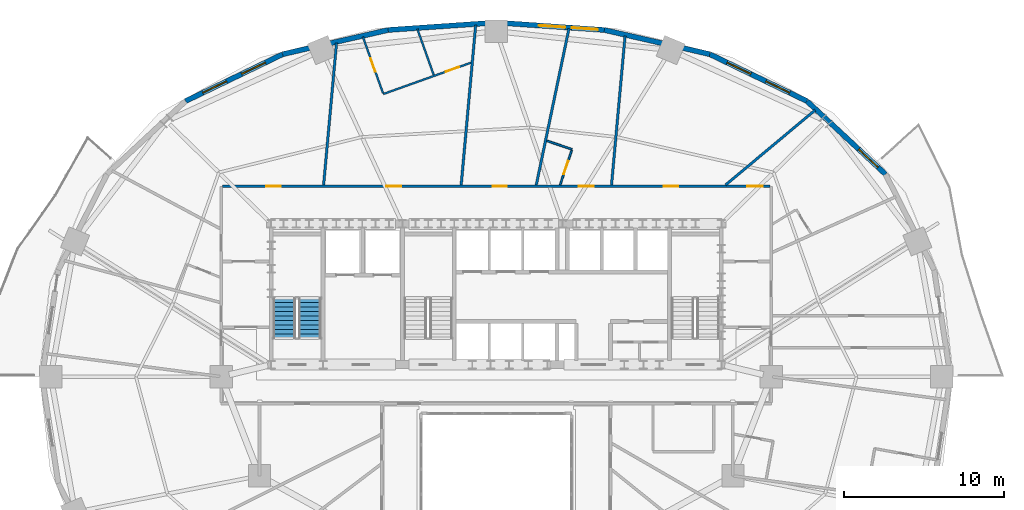
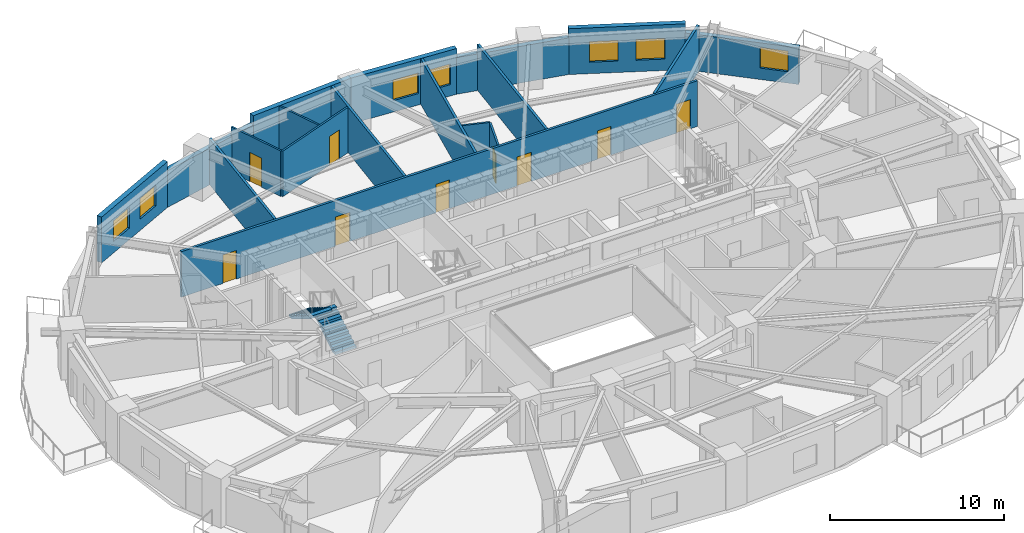
# One storey, part 11 of 15: 18 walls, 9 doors, 7 windows, 2 stair flights, 16 openings, 1 element without a shape of its own.
"""IFC4 building model written with IfcOpenShell, lengths in metres."""

from ifc_helpers import new_model, si_unit, direction, frame, frame_2d, origin, place, context, subcontext, project, spatial, polyline, rectangle, outline, extrude, material, layer, layer_set, type_object, element, fill, aggregate, save


model = new_model("IFC4")

# Units and contexts
model_context = context("Model", 3, precision=1e-05, world=origin(), true_north=direction((0.0, 1.0)))
body_context = subcontext(model_context, "Body", "Model", "MODEL_VIEW")
ifc_project = project(units=[si_unit("LENGTHUNIT", "METRE"), si_unit("AREAUNIT", "SQUARE_METRE"), si_unit("VOLUMEUNIT", "CUBIC_METRE"), si_unit("PLANEANGLEUNIT", "RADIAN"), si_unit("MASSUNIT", "GRAM", prefix="KILO")], contexts=[model_context])

# Site, building, storey
site_placement = place(None, origin())
site = spatial("IfcSite", under=ifc_project, at=site_placement, CompositionType="ELEMENT")
building_placement = place(site_placement, origin())
building = spatial("IfcBuilding", under=site, at=building_placement, Name="Haldorwick Loom Tower", CompositionType="ELEMENT")
storey_placement = place(building_placement, frame((0.0, 0.0, 85.25)))
storey = spatial("IfcBuildingStorey", under=building, at=storey_placement, Name="L22", CompositionType="ELEMENT", Elevation=85.25)

# Wall, opening, window
ifc_material_1 = material(Name="Pressed Clay Face Brick and Insulated Masonry Backup Assembly", Category="masonry")
ifc_layer_1 = layer(ifc_material_1, 0.320068359375, Name="Pressed Clay Face Brick and Insulated Masonry Backup Assembly", Category="masonry")
ifc_layer_set_1 = layer_set([ifc_layer_1], Name="Pressed Clay Face Brick and Insulated Masonry Backup Assembly")
wall_type_1 = type_object("IfcWallType", Name="ARC-WL-EXT320", PredefinedType="STANDARD", material=ifc_layer_set_1)
wall_1_placement = place(storey_placement, frame((60.338623046875, 38.655517578125, 0.0), z_axis=(0.0, 0.0, 1.0), x_axis=(-0.732137360086, 0.681157020052, 0.0)))
wall_1 = element("IfcWall", 1, at=wall_1_placement, inside=storey, type_object=wall_type_1, Name="L22 Brick Pier and Spandrel Wall 3", PredefinedType="STANDARD", context=body_context, shape_type="SweptSolid", body=[
    extrude(rectangle(XDim=6.709228515625, YDim=0.320068359375, at=frame_2d((3.3544921875, 0.0))), origin(), (0.0, 0.0, 1.0), 2.569091796875),
])
opening_1_placement = place(wall_1_placement, frame((0.639892578125, 0.0, 0.800048828125)))
opening_1 = element("IfcOpeningElement", 2, at=opening_1_placement, cuts=wall_1, Name="Opening W-01B", PredefinedType="OPENING", context=body_context, shape_type="SweptSolid", body=[
    extrude(rectangle(XDim=1.64990234375, YDim=1.449951171875, at=frame_2d((0.824951171875, 0.72509765625))), frame((0.0, 0.169921875, 0.0), z_axis=(0.0, -1.0, 0.0), x_axis=(1.0, 0.0, 0.0)), (0.0, 0.0, 1.0), 0.340087890625),
])
ifc_material_2 = material(Name="Triple-Glazed Low-E Argon Insulated Glazing Unit", Category="glass")
window_type = type_object("IfcWindowType", Name="ARC-WIN-W165", PartitioningType="SINGLE_PANEL", PredefinedType="WINDOW", material=ifc_material_2)
window_1_placement = place(opening_1_placement, origin())
window_1 = element("IfcWindow", 3, at=window_1_placement, inside=storey, type_object=window_type, Name="L22 Deep-Set Zone 7A Window 3", OverallHeight=1.449951171875, OverallWidth=1.64990234375, PartitioningType="SINGLE_PANEL", PredefinedType="WINDOW", context=body_context, shape_type="SweptSolid", body=[
    extrude(rectangle(XDim=1.64990234375, YDim=1.449951171875, at=frame_2d((0.824951171875, 0.72509765625))), frame((0.0, 0.030029296875, 0.0), z_axis=(0.0, -1.0, 0.0), x_axis=(1.0, 0.0, 0.0)), (0.0, 0.0, 1.0), 0.06005859375),
])
fill(opening_1, window_1)

# Wall, openings, windows
wall_2_placement = place(storey_placement, frame((55.426513671875, 43.2255859375, 0.0), z_axis=(0.0, 0.0, 1.0), x_axis=(-0.900510094661, 0.434835106004, 0.0)))
wall_2 = element("IfcWall", 4, at=wall_2_placement, inside=storey, type_object=wall_type_1, Name="L22 Brick Pier and Spandrel Wall 4", PredefinedType="STANDARD", context=body_context, shape_type="SweptSolid", body=[
    extrude(rectangle(XDim=6.744873046875, YDim=0.320068359375, at=frame_2d((3.37255859375, 0.0))), origin(), (0.0, 0.0, 1.0), 3.2099609375),
])
opening_2_placement = place(wall_2_placement, frame((1.198486328125, 0.0, 0.800048828125)))
opening_2 = element("IfcOpeningElement", 5, at=opening_2_placement, cuts=wall_2, Name="Opening W-01B", PredefinedType="OPENING", context=body_context, shape_type="SweptSolid", body=[
    extrude(rectangle(XDim=1.64990234375, YDim=1.449951171875, at=frame_2d((0.824951171875, 0.72509765625))), frame((0.0, 0.169921875, 0.0), z_axis=(0.0, -1.0, 0.0), x_axis=(1.0, 0.0, 0.0)), (0.0, 0.0, 1.0), 0.340087890625),
])
opening_3_placement = place(wall_2_placement, frame((3.896484375, 0.0, 0.800048828125)))
opening_3 = element("IfcOpeningElement", 6, at=opening_3_placement, cuts=wall_2, Name="Opening W-01B", PredefinedType="OPENING", context=body_context, shape_type="SweptSolid", body=[
    extrude(rectangle(XDim=1.64990234375, YDim=1.449951171875, at=frame_2d((0.824951171875, 0.72509765625))), frame((0.0, 0.169921875, 0.0), z_axis=(0.0, -1.0, 0.0), x_axis=(1.0, 0.0, 0.0)), (0.0, 0.0, 1.0), 0.340087890625),
])
window_2_placement = place(opening_2_placement, origin())
window_2 = element("IfcWindow", 7, at=window_2_placement, inside=storey, type_object=window_type, Name="L22 Deep-Set Zone 7A Window 4", OverallHeight=1.449951171875, OverallWidth=1.64990234375, PartitioningType="SINGLE_PANEL", PredefinedType="WINDOW", context=body_context, shape_type="SweptSolid", body=[
    extrude(rectangle(XDim=1.64990234375, YDim=1.449951171875, at=frame_2d((0.824951171875, 0.72509765625))), frame((0.0, 0.030029296875, 0.0), z_axis=(0.0, -1.0, 0.0), x_axis=(1.0, 0.0, 0.0)), (0.0, 0.0, 1.0), 0.06005859375),
])
fill(opening_2, window_2)
window_3_placement = place(opening_3_placement, origin())
window_3 = element("IfcWindow", 8, at=window_3_placement, inside=storey, type_object=window_type, Name="L22 Deep-Set Zone 7A Window 4", OverallHeight=1.449951171875, OverallWidth=1.64990234375, PartitioningType="SINGLE_PANEL", PredefinedType="WINDOW", context=body_context, shape_type="SweptSolid", body=[
    extrude(rectangle(XDim=1.64990234375, YDim=1.449951171875, at=frame_2d((0.824951171875, 0.72509765625))), frame((0.0, 0.030029296875, 0.0), z_axis=(0.0, -1.0, 0.0), x_axis=(1.0, 0.0, 0.0)), (0.0, 0.0, 1.0), 0.06005859375),
])
fill(opening_3, window_3)

# Wall
wall_3_placement = place(storey_placement, frame((49.352783203125, 46.158447265625, 0.0), z_axis=(0.0, 0.0, 1.0), x_axis=(-0.974584177714, 0.224021607329, 0.0)))
element("IfcWall", 9, at=wall_3_placement, inside=storey, type_object=wall_type_1, Name="L22 Brick Pier and Spandrel Wall 5", PredefinedType="STANDARD", context=body_context, shape_type="SweptSolid", body=[
    extrude(rectangle(XDim=6.767822265625, YDim=0.320068359375, at=frame_2d((3.3837890625, 0.0))), origin(), (0.0, 0.0, 1.0), 2.569091796875),
])

# Wall, openings, windows
wall_4_placement = place(storey_placement, frame((42.757080078125, 47.674560546875, 0.0), z_axis=(0.0, 0.0, 1.0), x_axis=(-0.997651949344, 0.068487867318, 0.0)))
wall_4 = element("IfcWall", 10, at=wall_4_placement, inside=storey, type_object=wall_type_1, Name="L22 Brick Pier and Spandrel Wall 6", PredefinedType="STANDARD", context=body_context, shape_type="SweptSolid", body=[
    extrude(rectangle(XDim=6.77294921875, YDim=0.320068359375, at=frame_2d((3.386474609375, 0.0))), origin(), (0.0, 0.0, 1.0), 3.2099609375),
])
opening_4_placement = place(wall_4_placement, frame((0.39990234375, 0.0, 0.800048828125)))
opening_4 = element("IfcOpeningElement", 11, at=opening_4_placement, cuts=wall_4, Name="Opening W-01B", PredefinedType="OPENING", context=body_context, shape_type="SweptSolid", body=[
    extrude(rectangle(XDim=1.64990234375, YDim=1.449951171875, at=frame_2d((0.824951171875, 0.72509765625))), frame((0.0, 0.169921875, 0.0), z_axis=(0.0, -1.0, 0.0), x_axis=(1.0, 0.0, 0.0)), (0.0, 0.0, 1.0), 0.340087890625),
])
opening_5_placement = place(wall_4_placement, frame((2.44140625, 0.0, 0.800048828125)))
opening_5 = element("IfcOpeningElement", 12, at=opening_5_placement, cuts=wall_4, Name="Opening W-01B", PredefinedType="OPENING", context=body_context, shape_type="SweptSolid", body=[
    extrude(rectangle(XDim=1.64990234375, YDim=1.449951171875, at=frame_2d((0.824951171875, 0.72509765625))), frame((0.0, 0.169921875, 0.0), z_axis=(0.0, -1.0, 0.0), x_axis=(1.0, 0.0, 0.0)), (0.0, 0.0, 1.0), 0.340087890625),
])
window_4_placement = place(opening_4_placement, origin())
window_4 = element("IfcWindow", 13, at=window_4_placement, inside=storey, type_object=window_type, Name="L22 Deep-Set Zone 7A Window 6", OverallHeight=1.449951171875, OverallWidth=1.64990234375, PartitioningType="SINGLE_PANEL", PredefinedType="WINDOW", context=body_context, shape_type="SweptSolid", body=[
    extrude(rectangle(XDim=1.64990234375, YDim=1.449951171875, at=frame_2d((0.824951171875, 0.72509765625))), frame((0.0, 0.030029296875, 0.0), z_axis=(0.0, -1.0, 0.0), x_axis=(1.0, 0.0, 0.0)), (0.0, 0.0, 1.0), 0.06005859375),
])
fill(opening_4, window_4)
window_5_placement = place(opening_5_placement, origin())
window_5 = element("IfcWindow", 14, at=window_5_placement, inside=storey, type_object=window_type, Name="L22 Deep-Set Zone 7A Window 6", OverallHeight=1.449951171875, OverallWidth=1.64990234375, PartitioningType="SINGLE_PANEL", PredefinedType="WINDOW", context=body_context, shape_type="SweptSolid", body=[
    extrude(rectangle(XDim=1.64990234375, YDim=1.449951171875, at=frame_2d((0.824951171875, 0.72509765625))), frame((0.0, 0.030029296875, 0.0), z_axis=(0.0, -1.0, 0.0), x_axis=(1.0, 0.0, 0.0)), (0.0, 0.0, 1.0), 0.06005859375),
])
fill(opening_5, window_5)

# Walls
wall_5_placement = place(storey_placement, frame((36.0, 48.138427734375, 0.0), z_axis=(0.0, 0.0, 1.0), x_axis=(-0.997651949344, -0.068487867318, 0.0)))
element("IfcWall", 15, at=wall_5_placement, inside=storey, type_object=wall_type_1, Name="L22 Brick Pier and Spandrel Wall 7", PredefinedType="STANDARD", context=body_context, shape_type="SweptSolid", body=[
    extrude(rectangle(XDim=6.77294921875, YDim=0.320068359375, at=frame_2d((3.386474609375, 0.0))), origin(), (0.0, 0.0, 1.0), 3.2099609375),
])
wall_6_placement = place(storey_placement, frame((29.242919921875, 47.674560546875, 0.0), z_axis=(0.0, 0.0, 1.0), x_axis=(-0.974584177714, -0.224021607329, 0.0)))
element("IfcWall", 16, at=wall_6_placement, inside=storey, type_object=wall_type_1, Name="L22 Brick Pier and Spandrel Wall 8", PredefinedType="STANDARD", context=body_context, shape_type="SweptSolid", body=[
    extrude(rectangle(XDim=6.767822265625, YDim=0.320068359375, at=frame_2d((3.3837890625, 0.0))), origin(), (0.0, 0.0, 1.0), 2.569091796875),
])

# Wall, openings, windows
wall_7_placement = place(storey_placement, frame((22.647216796875, 46.158447265625, 0.0), z_axis=(0.0, 0.0, 1.0), x_axis=(-0.900510094661, -0.434835106004, 0.0)))
wall_7 = element("IfcWall", 17, at=wall_7_placement, inside=storey, type_object=wall_type_1, Name="L22 Brick Pier and Spandrel Wall 9", PredefinedType="STANDARD", context=body_context, shape_type="SweptSolid", body=[
    extrude(rectangle(XDim=6.744873046875, YDim=0.320068359375, at=frame_2d((3.37255859375, 0.0))), origin(), (0.0, 0.0, 1.0), 3.2099609375),
])
opening_6_placement = place(wall_7_placement, frame((1.198486328125, 0.0, 0.800048828125)))
opening_6 = element("IfcOpeningElement", 18, at=opening_6_placement, cuts=wall_7, Name="Opening W-01B", PredefinedType="OPENING", context=body_context, shape_type="SweptSolid", body=[
    extrude(rectangle(XDim=1.64990234375, YDim=1.449951171875, at=frame_2d((0.824951171875, 0.72509765625))), frame((0.0, 0.169921875, 0.0), z_axis=(0.0, -1.0, 0.0), x_axis=(1.0, 0.0, 0.0)), (0.0, 0.0, 1.0), 0.340087890625),
])
opening_7_placement = place(wall_7_placement, frame((3.896484375, 0.0, 0.800048828125)))
opening_7 = element("IfcOpeningElement", 19, at=opening_7_placement, cuts=wall_7, Name="Opening W-01B", PredefinedType="OPENING", context=body_context, shape_type="SweptSolid", body=[
    extrude(rectangle(XDim=1.64990234375, YDim=1.449951171875, at=frame_2d((0.824951171875, 0.72509765625))), frame((0.0, 0.169921875, 0.0), z_axis=(0.0, -1.0, 0.0), x_axis=(1.0, 0.0, 0.0)), (0.0, 0.0, 1.0), 0.340087890625),
])
window_6_placement = place(opening_6_placement, origin())
window_6 = element("IfcWindow", 20, at=window_6_placement, inside=storey, type_object=window_type, Name="L22 Deep-Set Zone 7A Window 9", OverallHeight=1.449951171875, OverallWidth=1.64990234375, PartitioningType="SINGLE_PANEL", PredefinedType="WINDOW", context=body_context, shape_type="SweptSolid", body=[
    extrude(rectangle(XDim=1.64990234375, YDim=1.449951171875, at=frame_2d((0.824951171875, 0.72509765625))), frame((0.0, 0.030029296875, 0.0), z_axis=(0.0, -1.0, 0.0), x_axis=(1.0, 0.0, 0.0)), (0.0, 0.0, 1.0), 0.06005859375),
])
fill(opening_6, window_6)
window_7_placement = place(opening_7_placement, origin())
window_7 = element("IfcWindow", 21, at=window_7_placement, inside=storey, type_object=window_type, Name="L22 Deep-Set Zone 7A Window 9", OverallHeight=1.449951171875, OverallWidth=1.64990234375, PartitioningType="SINGLE_PANEL", PredefinedType="WINDOW", context=body_context, shape_type="SweptSolid", body=[
    extrude(rectangle(XDim=1.64990234375, YDim=1.449951171875, at=frame_2d((0.824951171875, 0.72509765625))), frame((0.0, 0.030029296875, 0.0), z_axis=(0.0, -1.0, 0.0), x_axis=(1.0, 0.0, 0.0)), (0.0, 0.0, 1.0), 0.06005859375),
])
fill(opening_7, window_7)

# Wall, openings, doors
ifc_material_3 = material(Name="Fire-Rated Type X Gypsum Stud Assembly EI 60")
ifc_layer_2 = layer(ifc_material_3, 0.159912109375, Name="Fire-Rated Type X Gypsum Stud Assembly EI 60")
ifc_layer_set_2 = layer_set([ifc_layer_2], Name="Fire-Rated Type X Gypsum Stud Assembly EI 60")
wall_type_2 = type_object("IfcWallType", Name="ARC-WL-FIRE160", PredefinedType="PARTITIONING", material=ifc_layer_set_2)
wall_8_placement = place(storey_placement, frame((18.883056640625, 37.89990234375, 0.0), z_axis=(0.0, 0.0, 1.0), x_axis=(1.0, 0.0, 0.0)))
wall_8 = element("IfcWall", 22, at=wall_8_placement, inside=storey, type_object=wall_type_2, Name="L22 Residential Fire Partition L22-CR-N0", PredefinedType="PARTITIONING", context=body_context, shape_type="SweptSolid", body=[
    extrude(rectangle(XDim=34.23388671875, YDim=0.159912109375, at=frame_2d((17.116943359375, 0.0))), origin(), (0.0, 0.0, 1.0), 3.195068359375),
])
opening_8_placement = place(wall_8_placement, frame((10.23681640625, 0.0, 0.0)))
opening_8 = element("IfcOpeningElement", 23, at=opening_8_placement, cuts=wall_8, Name="Opening D-FL95", PredefinedType="OPENING", context=body_context, shape_type="SweptSolid", body=[
    extrude(rectangle(XDim=0.949951171875, YDim=2.0400390625, at=frame_2d((0.47509765625, 1.02001953125))), frame((0.0, 0.08984375, 0.0), z_axis=(0.0, -1.0, 0.0), x_axis=(1.0, 0.0, 0.0)), (0.0, 0.0, 1.0), 0.179931640625),
])
opening_9_placement = place(wall_8_placement, frame((27.599853515625, 0.0, 0.0)))
opening_9 = element("IfcOpeningElement", 24, at=opening_9_placement, cuts=wall_8, Name="Opening D-FD60A", PredefinedType="OPENING", context=body_context, shape_type="SweptSolid", body=[
    extrude(rectangle(XDim=0.89990234375, YDim=2.0, at=frame_2d((0.449951171875, 1.0))), frame((0.0, 0.08984375, 0.0), z_axis=(0.0, -1.0, 0.0), x_axis=(1.0, 0.0, 0.0)), (0.0, 0.0, 1.0), 0.179931640625),
])
opening_10_placement = place(wall_8_placement, frame((2.75244140625, 0.0, 0.0)))
opening_10 = element("IfcOpeningElement", 25, at=opening_10_placement, cuts=wall_8, Name="Opening D-FD60A", PredefinedType="OPENING", context=body_context, shape_type="SweptSolid", body=[
    extrude(rectangle(XDim=0.89990234375, YDim=2.0, at=frame_2d((0.449951171875, 1.0))), frame((0.0, 0.08984375, 0.0), z_axis=(0.0, -1.0, 0.0), x_axis=(1.0, 0.0, 0.0)), (0.0, 0.0, 1.0), 0.179931640625),
])
opening_11_placement = place(wall_8_placement, frame((16.887939453125, 0.0, 0.0)))
opening_11 = element("IfcOpeningElement", 26, at=opening_11_placement, cuts=wall_8, Name="Opening D-FD60A", PredefinedType="OPENING", context=body_context, shape_type="SweptSolid", body=[
    extrude(rectangle(XDim=0.89990234375, YDim=2.0, at=frame_2d((0.449951171875, 1.0))), frame((0.0, 0.08984375, 0.0), z_axis=(0.0, -1.0, 0.0), x_axis=(1.0, 0.0, 0.0)), (0.0, 0.0, 1.0), 0.179931640625),
])
opening_12_placement = place(wall_8_placement, frame((22.27392578125, 0.0, 0.0)))
opening_12 = element("IfcOpeningElement", 27, at=opening_12_placement, cuts=wall_8, Name="Opening D-FL95", PredefinedType="OPENING", context=body_context, shape_type="SweptSolid", body=[
    extrude(rectangle(XDim=0.949951171875, YDim=2.0400390625, at=frame_2d((0.47509765625, 1.02001953125))), frame((0.0, 0.08984375, 0.0), z_axis=(0.0, -1.0, 0.0), x_axis=(1.0, 0.0, 0.0)), (0.0, 0.0, 1.0), 0.179931640625),
])
opening_13_placement = place(wall_8_placement, frame((32.822021484375, 0.0, 0.0)))
opening_13 = element("IfcOpeningElement", 28, at=opening_13_placement, cuts=wall_8, Name="Opening D-FL95", PredefinedType="OPENING", context=body_context, shape_type="SweptSolid", body=[
    extrude(rectangle(XDim=0.949951171875, YDim=2.0400390625, at=frame_2d((0.47509765625, 1.02001953125))), frame((0.0, 0.08984375, 0.0), z_axis=(0.0, -1.0, 0.0), x_axis=(1.0, 0.0, 0.0)), (0.0, 0.0, 1.0), 0.179931640625),
])
ifc_material_4 = material(Name="Hollow Steel Fire Door Assembly", Category="steel")
door_type_1 = type_object("IfcDoorType", Name="ARC-DR-FD60-90", OperationType="NOTDEFINED", PredefinedType="DOOR", material=ifc_material_4)
door_1_placement = place(opening_9_placement, frame((0.89990234375, 0.0, 0.0), z_axis=(0.0, 0.0, 1.0), x_axis=(-1.0, 0.0, 0.0)))
door_1 = element("IfcDoor", 29, at=door_1_placement, inside=storey, type_object=door_type_1, Name="L22 Shared Resident Dining Hall 14 to L22 North Residential Corridor Doo", OperationType="SINGLE_SWING_RIGHT", OverallHeight=2.0, OverallWidth=0.89990234375, PredefinedType="DOOR", context=body_context, shape_type="SweptSolid", body=[
    extrude(rectangle(XDim=0.89990234375, YDim=2.0, at=frame_2d((0.449951171875, 1.0))), frame((0.0, 0.02490234375, 0.0), z_axis=(0.0, -1.0, 0.0), x_axis=(1.0, 0.0, 0.0)), (0.0, 0.0, 1.0), 0.050048828125),
])
fill(opening_9, door_1)
door_2_placement = place(opening_10_placement, frame((0.89990234375, 0.0, 0.0), z_axis=(0.0, 0.0, 1.0), x_axis=(-1.0, 0.0, 0.0)))
door_2 = element("IfcDoor", 30, at=door_2_placement, inside=storey, type_object=door_type_1, Name="L22 Shared Resident Dining Hall 3 to L22 North Residential Corridor Door", OperationType="SINGLE_SWING_LEFT", OverallHeight=2.0, OverallWidth=0.89990234375, PredefinedType="DOOR", context=body_context, shape_type="SweptSolid", body=[
    extrude(rectangle(XDim=0.89990234375, YDim=2.0, at=frame_2d((0.449951171875, 1.0))), frame((0.0, 0.02490234375, 0.0), z_axis=(0.0, -1.0, 0.0), x_axis=(1.0, 0.0, 0.0)), (0.0, 0.0, 1.0), 0.050048828125),
])
fill(opening_10, door_2)
door_3_placement = place(opening_11_placement, frame((0.89990234375, 0.0, 0.0), z_axis=(0.0, 0.0, 1.0), x_axis=(-1.0, 0.0, 0.0)))
door_3 = element("IfcDoor", 31, at=door_3_placement, inside=storey, type_object=door_type_1, Name="L22 Shared Resident Dining Hall 7 to L22 North Residential Corridor Door", OperationType="SINGLE_SWING_LEFT", OverallHeight=2.0, OverallWidth=0.89990234375, PredefinedType="DOOR", context=body_context, shape_type="SweptSolid", body=[
    extrude(rectangle(XDim=0.89990234375, YDim=2.0, at=frame_2d((0.449951171875, 1.0))), frame((0.0, 0.02490234375, 0.0), z_axis=(0.0, -1.0, 0.0), x_axis=(1.0, 0.0, 0.0)), (0.0, 0.0, 1.0), 0.050048828125),
])
fill(opening_11, door_3)
ifc_material_5 = material(Name="Solid Core Birch Architectural Door")
door_type_2 = type_object("IfcDoorType", Name="ARC-DR-FLAT95", OperationType="NOTDEFINED", PredefinedType="DOOR", material=ifc_material_5)
door_4_placement = place(opening_8_placement, frame((0.949951171875, 0.0, 0.0), z_axis=(0.0, 0.0, 1.0), x_axis=(-1.0, 0.0, 0.0)))
door_4 = element("IfcDoor", 32, at=door_4_placement, inside=storey, type_object=door_type_2, Name="L22 Unit 22E Kitchen and Living Room to L22 North Residential Corridor D", OperationType="SINGLE_SWING_LEFT", OverallHeight=2.0400390625, OverallWidth=0.949951171875, PredefinedType="DOOR", context=body_context, shape_type="SweptSolid", body=[
    extrude(rectangle(XDim=0.949951171875, YDim=2.0400390625, at=frame_2d((0.47509765625, 1.02001953125))), frame((0.0, 0.02490234375, 0.0), z_axis=(0.0, -1.0, 0.0), x_axis=(1.0, 0.0, 0.0)), (0.0, 0.0, 1.0), 0.050048828125),
])
fill(opening_8, door_4)
door_5_placement = place(opening_12_placement, frame((0.949951171875, 0.0, 0.0), z_axis=(0.0, 0.0, 1.0), x_axis=(-1.0, 0.0, 0.0)))
door_5 = element("IfcDoor", 33, at=door_5_placement, inside=storey, type_object=door_type_2, Name="L22 Unit 22F Kitchen and Studio Living Room to L22 North Residential Cor", OperationType="SINGLE_SWING_LEFT", OverallHeight=2.0400390625, OverallWidth=0.949951171875, PredefinedType="DOOR", context=body_context, shape_type="SweptSolid", body=[
    extrude(rectangle(XDim=0.949951171875, YDim=2.0400390625, at=frame_2d((0.47509765625, 1.02001953125))), frame((0.0, 0.02490234375, 0.0), z_axis=(0.0, -1.0, 0.0), x_axis=(1.0, 0.0, 0.0)), (0.0, 0.0, 1.0), 0.050048828125),
])
fill(opening_12, door_5)
door_6_placement = place(opening_13_placement, frame((0.949951171875, 0.0, 0.0), z_axis=(0.0, 0.0, 1.0), x_axis=(-1.0, 0.0, 0.0)))
door_6 = element("IfcDoor", 34, at=door_6_placement, inside=storey, type_object=door_type_2, Name="L22 Unit 22M Kitchen and Studio Living Room to L22 North Residential Cor", OperationType="SINGLE_SWING_LEFT", OverallHeight=2.0400390625, OverallWidth=0.949951171875, PredefinedType="DOOR", context=body_context, shape_type="SweptSolid", body=[
    extrude(rectangle(XDim=0.949951171875, YDim=2.0400390625, at=frame_2d((0.47509765625, 1.02001953125))), frame((0.0, 0.02490234375, 0.0), z_axis=(0.0, -1.0, 0.0), x_axis=(1.0, 0.0, 0.0)), (0.0, 0.0, 1.0), 0.050048828125),
])
fill(opening_13, door_6)

# Walls
wall_9_placement = place(storey_placement, frame((25.20751953125, 37.98291015625, 0.0), z_axis=(0.0, 0.0, 1.0), x_axis=(0.090491322793, 0.995897243946, 0.0)))
element("IfcWall", 35, at=wall_9_placement, inside=storey, type_object=wall_type_2, Name="L22 Residential Fire Partition L22-UPN-13", PredefinedType="PARTITIONING", context=body_context, shape_type="SweptSolid", body=[
    extrude(rectangle(XDim=8.91943359375, YDim=0.159912109375, at=frame_2d((4.459716796875, 0.0))), origin(), (0.0, 0.0, 1.0), 3.195068359375),
])
wall_10_placement = place(storey_placement, frame((33.8076171875, 37.98291015625, 0.0), z_axis=(0.0, 0.0, 1.0), x_axis=(0.090476568416, 0.995898584479, 0.0)))
element("IfcWall", 36, at=wall_10_placement, inside=storey, type_object=wall_type_2, Name="L22 Residential Fire Partition L22-UPN-14", PredefinedType="PARTITIONING", context=body_context, shape_type="SweptSolid", body=[
    extrude(rectangle(XDim=10.04345703125, YDim=0.159912109375, at=frame_2d((5.021728515625, 0.0))), origin(), (0.0, 0.0, 1.0), 3.195068359375),
])
wall_11_placement = place(storey_placement, frame((43.20751953125, 37.98291015625, 0.0), z_axis=(0.0, 0.0, 1.0), x_axis=(0.090486385292, 0.995897692575, 0.0)))
element("IfcWall", 37, at=wall_11_placement, inside=storey, type_object=wall_type_2, Name="L22 Residential Fire Partition L22-UPN-15", PredefinedType="PARTITIONING", context=body_context, shape_type="SweptSolid", body=[
    extrude(rectangle(XDim=9.364990234375, YDim=0.159912109375, at=frame_2d((4.6826171875, 0.0))), origin(), (0.0, 0.0, 1.0), 3.195068359375),
])
wall_12_placement = place(storey_placement, frame((38.503173828125, 37.98291015625, 0.0), z_axis=(0.0, 0.0, 1.0), x_axis=(0.204489055978, 0.978868850248, 0.0)))
element("IfcWall", 38, at=wall_12_placement, inside=storey, type_object=wall_type_2, Name="L22 Suite Split Wall", PredefinedType="PARTITIONING", context=body_context, shape_type="SweptSolid", body=[
    extrude(rectangle(XDim=9.989501953125, YDim=0.159912109375, at=frame_2d((4.99462890625, 0.0))), origin(), (0.0, 0.0, 1.0), 3.195068359375),
])
wall_13_placement = place(storey_placement, frame((50.3369140625, 37.98291015625, 0.0), z_axis=(0.0, 0.0, 1.0), x_axis=(0.767277099494, 0.641315719901, 0.0)))
element("IfcWall", 39, at=wall_13_placement, inside=storey, type_object=wall_type_2, Name="L22 Suite Split Wall", PredefinedType="PARTITIONING", context=body_context, shape_type="SweptSolid", body=[
    extrude(rectangle(XDim=7.29736328125, YDim=0.159912109375, at=frame_2d((3.648681640625, 0.0))), origin(), (0.0, 0.0, 1.0), 3.195068359375),
])

# Wall, opening, door
ifc_material_6 = material(Name="Acoustic Gypsum Stud Assembly STC 55")
ifc_layer_3 = layer(ifc_material_6, 0.1201171875, Name="Acoustic Gypsum Stud Assembly STC 55")
ifc_layer_set_3 = layer_set([ifc_layer_3], Name="Acoustic Gypsum Stud Assembly STC 55")
wall_type_3 = type_object("IfcWallType", Name="ARC-WL-PART120", PredefinedType="PARTITIONING", material=ifc_layer_set_3)
wall_14_placement = place(storey_placement, frame((34.418701171875, 45.626708984375, 0.0), z_axis=(0.0, 0.0, 1.0), x_axis=(-0.941850077661, -0.336033378118, 0.0)))
wall_14 = element("IfcWall", 40, at=wall_14_placement, inside=storey, type_object=wall_type_3, Name="L22 Unit 22E Interior Partition", PredefinedType="PARTITIONING", context=body_context, shape_type="SweptSolid", body=[
    extrude(rectangle(XDim=5.81884765625, YDim=0.1201171875, at=frame_2d((2.909423828125, 0.0))), origin(), (0.0, 0.0, 1.0), 3.195068359375),
])
opening_14_placement = place(wall_14_placement, frame((0.791015625, 0.0, 0.0)))
opening_14 = element("IfcOpeningElement", 41, at=opening_14_placement, cuts=wall_14, Name="Opening D-BT88", PredefinedType="OPENING", context=body_context, shape_type="SweptSolid", body=[
    extrude(rectangle(XDim=0.8798828125, YDim=2.02001953125, at=frame_2d((0.43994140625, 1.010009765625))), frame((0.0, 0.070068359375, 0.0), z_axis=(0.0, -1.0, 0.0), x_axis=(1.0, 0.0, 0.0)), (0.0, 0.0, 1.0), 0.14013671875),
])
door_type_3 = type_object("IfcDoorType", Name="ARC-DR-BATH88", OperationType="NOTDEFINED", PredefinedType="DOOR", material=ifc_material_5)
door_7_placement = place(opening_14_placement, origin())
door_7 = element("IfcDoor", 42, at=door_7_placement, inside=storey, type_object=door_type_3, Name="L22 Unit 22E Kitchen and Living Room to Unit 22E Bathroom Door", OperationType="SINGLE_SWING_RIGHT", OverallHeight=2.02001953125, OverallWidth=0.8798828125, PredefinedType="DOOR", context=body_context, shape_type="SweptSolid", body=[
    extrude(rectangle(XDim=0.8798828125, YDim=2.02001953125, at=frame_2d((0.43994140625, 1.010009765625))), frame((0.0, 0.02490234375, 0.0), z_axis=(0.0, -1.0, 0.0), x_axis=(1.0, 0.0, 0.0)), (0.0, 0.0, 1.0), 0.050048828125),
])
fill(opening_14, door_7)

wall_15_placement = place(storey_placement, frame((28.9169921875, 43.730712890625, 0.0), z_axis=(0.0, 0.0, 1.0), x_axis=(-0.336004763766, 0.941860286203, 0.0)))
wall_15 = element("IfcWall", 43, at=wall_15_placement, inside=storey, type_object=wall_type_3, Name="L22 Unit 22E Interior Partition", PredefinedType="PARTITIONING", context=body_context, shape_type="SweptSolid", body=[
    extrude(rectangle(XDim=3.731201171875, YDim=0.1201171875, at=frame_2d((1.86572265625, 0.0))), origin(), (0.0, 0.0, 1.0), 3.195068359375),
])
opening_15_placement = place(wall_15_placement, frame((1.41552734375, 0.0, 0.0)))
opening_15 = element("IfcOpeningElement", 44, at=opening_15_placement, cuts=wall_15, Name="Opening D-IN90", PredefinedType="OPENING", context=body_context, shape_type="SweptSolid", body=[
    extrude(rectangle(XDim=0.89990234375, YDim=2.0400390625, at=frame_2d((0.449951171875, 1.02001953125))), frame((0.0, 0.070068359375, 0.0), z_axis=(0.0, -1.0, 0.0), x_axis=(1.0, 0.0, 0.0)), (0.0, 0.0, 1.0), 0.14013671875),
])
door_type_4 = type_object("IfcDoorType", Name="ARC-DR-INT90", OperationType="NOTDEFINED", PredefinedType="DOOR", material=ifc_material_5)
door_8_placement = place(opening_15_placement, origin())
door_8 = element("IfcDoor", 45, at=door_8_placement, inside=storey, type_object=door_type_4, Name="L22 Unit 22E Kitchen and Living Room to Unit 22E Bedroom 1 Door", OperationType="SINGLE_SWING_LEFT", OverallHeight=2.0400390625, OverallWidth=0.89990234375, PredefinedType="DOOR", context=body_context, shape_type="SweptSolid", body=[
    extrude(rectangle(XDim=0.89990234375, YDim=2.0400390625, at=frame_2d((0.449951171875, 1.02001953125))), frame((0.0, 0.02490234375, 0.0), z_axis=(0.0, -1.0, 0.0), x_axis=(1.0, 0.0, 0.0)), (0.0, 0.0, 1.0), 0.050048828125),
])
fill(opening_15, door_8)

# Walls
wall_16_placement = place(storey_placement, frame((32.09130859375, 44.86328125, 0.0), z_axis=(0.0, 0.0, 1.0), x_axis=(-0.336026919077, 0.941852382094, 0.0)))
element("IfcWall", 46, at=wall_16_placement, inside=storey, type_object=wall_type_3, Name="L22 Unit 22E Interior Partition", PredefinedType="PARTITIONING", context=body_context, shape_type="SweptSolid", body=[
    extrude(rectangle(XDim=3.048583984375, YDim=0.1201171875, at=frame_2d((1.5244140625, 0.0))), origin(), (0.0, 0.0, 1.0), 3.195068359375),
])
wall_17_placement = place(storey_placement, frame((40.740234375, 40.21533203125, 0.0), z_axis=(0.0, 0.0, 1.0), x_axis=(-0.948403770047, 0.317065117856, 0.0)))
element("IfcWall", 47, at=wall_17_placement, inside=storey, type_object=wall_type_3, Name="L22 Unit 22F Interior Partition", PredefinedType="PARTITIONING", context=body_context, shape_type="SweptSolid", body=[
    extrude(rectangle(XDim=1.66162109375, YDim=0.1201171875, at=frame_2d((0.830810546875, 0.0))), origin(), (0.0, 0.0, 1.0), 3.195068359375),
])

# Wall, opening, door
wall_18_placement = place(storey_placement, frame((39.994140625, 37.98291015625, 0.0), z_axis=(0.0, 0.0, 1.0), x_axis=(0.316963059411, 0.948437883558, 0.0)))
wall_18 = element("IfcWall", 48, at=wall_18_placement, inside=storey, type_object=wall_type_3, Name="L22 Unit 22F Interior Partition", PredefinedType="PARTITIONING", context=body_context, shape_type="SweptSolid", body=[
    extrude(rectangle(XDim=2.290771484375, YDim=0.1201171875, at=frame_2d((1.1455078125, 0.0))), origin(), (0.0, 0.0, 1.0), 3.195068359375),
])
opening_16_placement = place(wall_18_placement, frame((0.705322265625, 0.0, 0.0)))
opening_16 = element("IfcOpeningElement", 49, at=opening_16_placement, cuts=wall_18, Name="Opening D-BT88", PredefinedType="OPENING", context=body_context, shape_type="SweptSolid", body=[
    extrude(rectangle(XDim=0.8798828125, YDim=2.02001953125, at=frame_2d((0.43994140625, 1.010009765625))), frame((0.0, 0.070068359375, 0.0), z_axis=(0.0, -1.0, 0.0), x_axis=(1.0, 0.0, 0.0)), (0.0, 0.0, 1.0), 0.14013671875),
])
door_9_placement = place(opening_16_placement, origin())
door_9 = element("IfcDoor", 50, at=door_9_placement, inside=storey, type_object=door_type_3, Name="L22 Unit 22F Bathroom to Unit 22F Kitchen and Studio Living Room Door", OperationType="SINGLE_SWING_LEFT", OverallHeight=2.02001953125, OverallWidth=0.8798828125, PredefinedType="DOOR", context=body_context, shape_type="SweptSolid", body=[
    extrude(rectangle(XDim=0.8798828125, YDim=2.02001953125, at=frame_2d((0.43994140625, 1.010009765625))), frame((0.0, 0.02490234375, 0.0), z_axis=(0.0, -1.0, 0.0), x_axis=(1.0, 0.0, 0.0)), (0.0, 0.0, 1.0), 0.050048828125),
])
fill(opening_16, door_9)

# Stair, stair flights
ifc_material_7 = material(Name="Concrete C40 (40 MPa)", Category="concrete")
stair_type = type_object("IfcStairType", Name="STR-STR-CORE", PredefinedType="HALF_TURN_STAIR", material=ifc_material_7)
stair_placement = place(storey_placement, origin())
stair = element("IfcStair", 51, at=stair_placement, inside=storey, type_object=stair_type, Name="L22 Exit Stair ST-01", PredefinedType="HALF_TURN_STAIR")
stair_flight_type = type_object("IfcStairFlightType", Name="STR-STF-1250", PredefinedType="STRAIGHT", material=ifc_material_7)
stair_flight_1_placement = place(storey_placement, frame((24.35009765625, 28.39990234375, 0.0), z_axis=(0.0, 0.0, 1.0), x_axis=(0.0, 1.0, 0.0)))
stair_flight_1 = element("IfcStairFlight", 52, at=stair_flight_1_placement, type_object=stair_flight_type, Name="ST-01 flight 1", NumberOfRisers=10, NumberOfTreads=9, PredefinedType="STRAIGHT", RiserHeight=0.1725, TreadLength=0.28, context=body_context, shape_type="SweptSolid", body=[
    extrude(outline(polyline([(0.0, 0.0), (0.0, 0.172607421875), (0.280029296875, 0.172607421875), (0.280029296875, 0.344970703125), (0.56005859375, 0.344970703125), (0.56005859375, 0.517578125), (0.840087890625, 0.517578125), (0.840087890625, 0.68994140625), (1.1201171875, 0.68994140625), (1.1201171875, 0.862548828125), (1.39990234375, 0.862548828125), (1.39990234375, 1.034912109375), (1.679931640625, 1.034912109375), (1.679931640625, 1.20751953125), (1.9599609375, 1.20751953125), (1.9599609375, 1.3798828125), (2.239990234375, 1.3798828125), (2.239990234375, 1.552490234375), (2.52001953125, 1.552490234375), (2.52001953125, 1.72509765625), (2.52001953125, 1.37646484375), (0.285888671875, 0.0), (0.0, 0.0)])), frame((0.0, 0.699951171875, 0.0), z_axis=(0.0, -1.0, 0.0), x_axis=(1.0, 0.0, 0.0)), (0.0, 0.0, 1.0), 1.39990234375),
])
stair_flight_2_placement = place(storey_placement, frame((22.75, 30.919921875, 1.72509765625), z_axis=(0.0, 0.0, 1.0), x_axis=(0.0, -1.0, 0.0)))
stair_flight_2 = element("IfcStairFlight", 53, at=stair_flight_2_placement, type_object=stair_flight_type, Name="ST-01 flight 2", NumberOfRisers=10, NumberOfTreads=9, PredefinedType="STRAIGHT", RiserHeight=0.1725, TreadLength=0.28, context=body_context, shape_type="SweptSolid", body=[
    extrude(outline(polyline([(0.0, 0.0), (0.0, 0.172607421875), (0.280029296875, 0.172607421875), (0.280029296875, 0.344970703125), (0.56005859375, 0.344970703125), (0.56005859375, 0.517578125), (0.840087890625, 0.517578125), (0.840087890625, 0.68994140625), (1.1201171875, 0.68994140625), (1.1201171875, 0.862548828125), (1.39990234375, 0.862548828125), (1.39990234375, 1.034912109375), (1.679931640625, 1.034912109375), (1.679931640625, 1.20751953125), (1.9599609375, 1.20751953125), (1.9599609375, 1.3798828125), (2.239990234375, 1.3798828125), (2.239990234375, 1.552490234375), (2.52001953125, 1.552490234375), (2.52001953125, 1.72509765625), (2.52001953125, 1.37646484375), (0.285888671875, 0.0), (0.0, 0.0)])), frame((0.0, 0.699951171875, 0.0), z_axis=(0.0, -1.0, 0.0), x_axis=(1.0, 0.0, 0.0)), (0.0, 0.0, 1.0), 1.39990234375),
])
aggregate(stair, [stair_flight_1, stair_flight_2])

save(model, "model.ifc")
